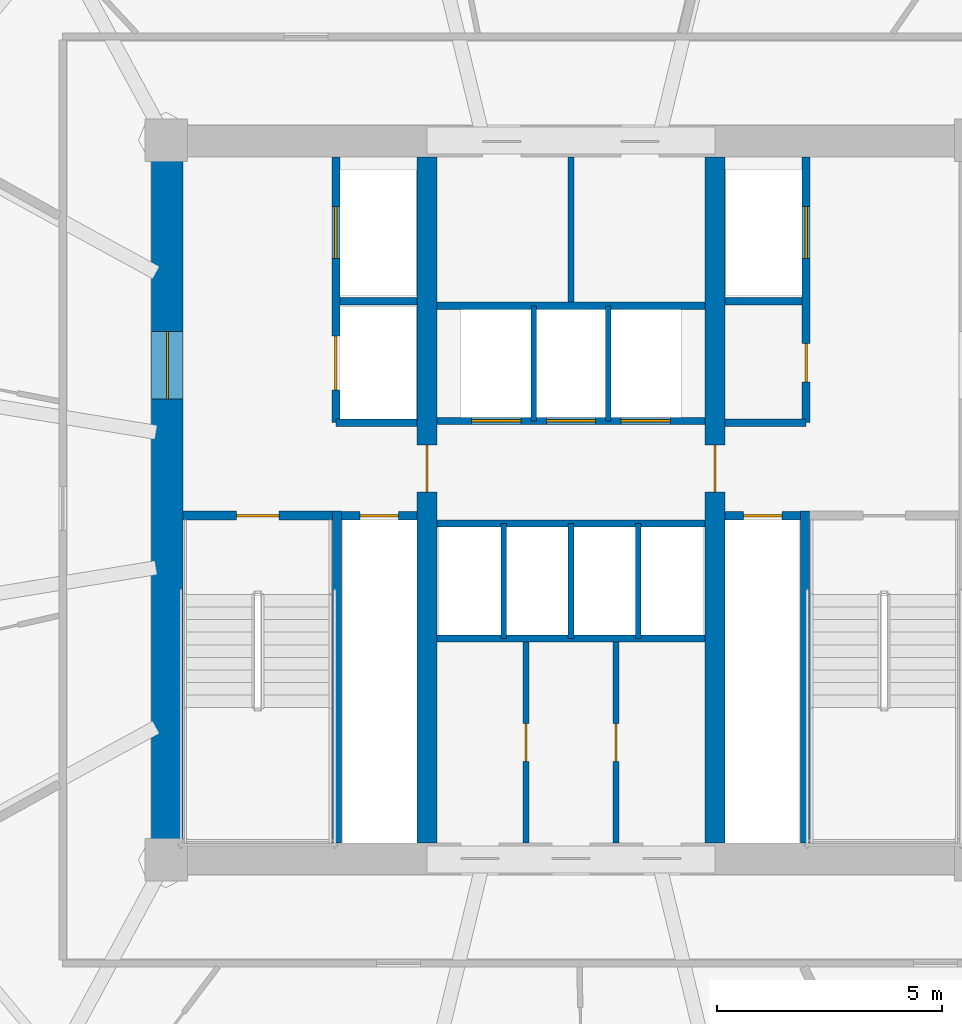
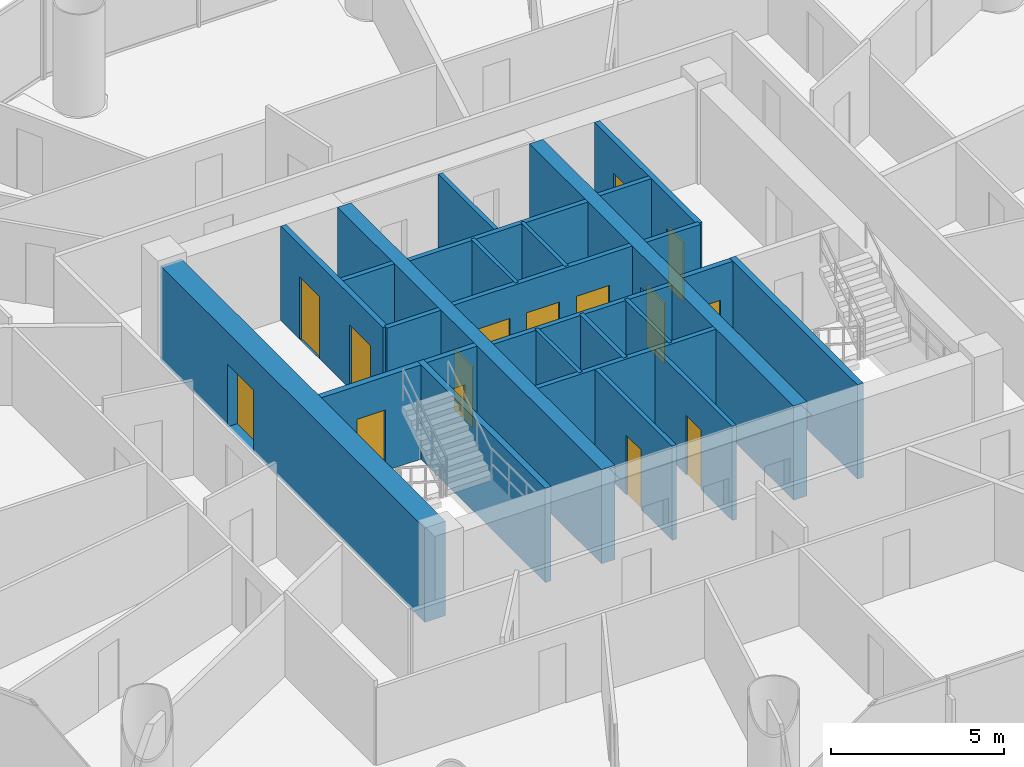
# One storey, part 22 of 28: 26 walls, 15 doors, 15 openings.
"""IFC4 building model written with IfcOpenShell, lengths in metres."""

from ifc_helpers import new_model, si_unit, direction, frame, frame_2d, origin, place, context, subcontext, project, spatial, rectangle, extrude, source, transform, mapped, material, layer, layer_set, type_object, element, fill, save


model = new_model("IFC4")

# Units and contexts
model_context = context("Model", 3, precision=1e-05, world=origin(), true_north=direction((-0.2419218956, 0.970295726276)))
body_context = subcontext(model_context, "Body", "Model", "MODEL_VIEW")
ifc_project = project(units=[si_unit("LENGTHUNIT", "METRE"), si_unit("AREAUNIT", "SQUARE_METRE"), si_unit("VOLUMEUNIT", "CUBIC_METRE"), si_unit("PLANEANGLEUNIT", "RADIAN"), si_unit("MASSUNIT", "GRAM", prefix="KILO")], contexts=[model_context])

# Site, building, storey
site_placement = place(None, origin())
site = spatial("IfcSite", under=ifc_project, at=site_placement, CompositionType="ELEMENT")
building_placement = place(site_placement, origin())
building = spatial("IfcBuilding", under=site, at=building_placement, Name="Cobrevalo Terracotta Tower", CompositionType="ELEMENT")
storey_placement = place(building_placement, frame((0.0, 0.0, 105.0)))
storey = spatial("IfcBuildingStorey", under=building, at=storey_placement, Name="L27", CompositionType="ELEMENT", Elevation=105.0)

# Wall, opening, door
ifc_material_1 = material(Name="Concrete C60", Category="concrete")
ifc_layer_1 = layer(ifc_material_1, 0.699951171875)
ifc_layer_set_1 = layer_set([ifc_layer_1], Name="Concrete C60")
wall_type_1 = type_object("IfcWallType", Name="Core shear wall 700 mm Concrete C60", PredefinedType="SHEAR", material=ifc_layer_set_1)
wall_1_placement = place(storey_placement, frame((29.02490234375, 19.175048828125, 0.0), z_axis=(0.0, 0.0, 1.0), x_axis=(0.0, 1.0, 0.0)))
wall_1 = element("IfcWall", 1, at=wall_1_placement, inside=storey, type_object=wall_type_1, Name="L27 west core shear wall", PredefinedType="SHEAR", context=body_context, shape_type="SweptSolid", body=[
    extrude(rectangle(XDim=15.25, YDim=0.699951171875, at=frame_2d((7.625, 0.0))), origin(), (0.0, 0.0, 1.0), 3.324951171875),
])
opening_1_placement = place(wall_1_placement, frame((9.875, 0.0, 0.0)))
opening_1 = element("IfcOpeningElement", 2, at=opening_1_placement, cuts=wall_1, Name="Opening ID-14", PredefinedType="OPENING", context=body_context, shape_type="SweptSolid", body=[
    extrude(rectangle(XDim=1.5, YDim=2.199951171875, at=frame_2d((0.75, 1.10009765625))), frame((0.0, 0.35986328125, 0.0), z_axis=(0.0, -1.0, 0.0), x_axis=(1.0, 0.0, 0.0)), (0.0, 0.0, 1.0), 0.719970703125),
])
ifc_material_2 = material(Name="Galvanized fire-rated steel", Category="steel")
door_type_1 = type_object("IfcDoorType", Name="Core cross-lobby double fire door 1500x2200 EI 90", OperationType="NOTDEFINED", PredefinedType="DOOR", material=ifc_material_2)
shared_shape_1 = source(origin(), body_context, "Body", "SweptSolid", [
    extrude(rectangle(XDim=1.5, YDim=2.199951171875, at=frame_2d((0.75, 1.10009765625))), frame((0.0, 0.02490234375, 0.0), z_axis=(0.0, -1.0, 0.0), x_axis=(1.0, 0.0, 0.0)), (0.0, 0.0, 1.0), 0.050048828125),
])
door_1_placement = place(opening_1_placement, origin())
door_1 = element("IfcDoor", 3, at=door_1_placement, inside=storey, type_object=door_type_1, Name="L27 west firefighting lobby entrance door", OperationType="DOUBLE_DOOR_SINGLE_SWING", OverallHeight=2.199951171875, OverallWidth=1.5, PredefinedType="DOOR", context=body_context, shape_type="MappedRepresentation", body=[
    mapped(shared_shape_1, transform((0.0, 0.0, 0.0), scale=1.0)),
])
fill(opening_1, door_1)

# Walls
ifc_material_3 = material(Name="Gypsum board on steel stud", Category="steel")
ifc_layer_2 = layer(ifc_material_3, 0.159912109375)
ifc_layer_set_2 = layer_set([ifc_layer_2], Name="Gypsum board on steel stud")
wall_type_2 = type_object("IfcWallType", Name="Fire-rated corridor acoustic partition wall 160 mm", PredefinedType="PARTITIONING", material=ifc_layer_set_2)
wall_2_placement = place(storey_placement, frame((32.860107421875, 31.219970703125, 0.0), z_axis=(0.0, 0.0, 1.0), x_axis=(1.0, 0.0, 0.0)))
element("IfcWall", 4, at=wall_2_placement, inside=storey, type_object=wall_type_2, Name="L27 interior partition IW-L27-FF1-M", PredefinedType="PARTITIONING", context=body_context, shape_type="SweptSolid", body=[
    extrude(rectangle(XDim=1.71484375, YDim=0.159912109375, at=frame_2d((0.857421875, 0.0))), origin(), (0.0, 0.0, 1.0), 3.324951171875),
])
wall_3_placement = place(storey_placement, frame((32.77001953125, 28.52001953125, 0.0), z_axis=(0.0, 0.0, 1.0), x_axis=(1.0, 0.0, 0.0)))
element("IfcWall", 5, at=wall_3_placement, inside=storey, type_object=wall_type_2, Name="L27 interior partition IW-L27-FF1-S", PredefinedType="PARTITIONING", context=body_context, shape_type="SweptSolid", body=[
    extrude(rectangle(XDim=1.804931640625, YDim=0.159912109375, at=frame_2d((0.90234375, 0.0))), origin(), (0.0, 0.0, 1.0), 3.324951171875),
])
wall_4_placement = place(storey_placement, frame((41.425048828125, 31.219970703125, 0.0), z_axis=(0.0, 0.0, 1.0), x_axis=(1.0, 0.0, 0.0)))
element("IfcWall", 6, at=wall_4_placement, inside=storey, type_object=wall_type_2, Name="L27 interior partition IW-L27-FF2-M", PredefinedType="PARTITIONING", context=body_context, shape_type="SweptSolid", body=[
    extrude(rectangle(XDim=1.71484375, YDim=0.159912109375, at=frame_2d((0.857421875, 0.0))), origin(), (0.0, 0.0, 1.0), 3.324951171875),
])
wall_5_placement = place(storey_placement, frame((41.425048828125, 28.52001953125, 0.0), z_axis=(0.0, 0.0, 1.0), x_axis=(1.0, 0.0, 0.0)))
element("IfcWall", 7, at=wall_5_placement, inside=storey, type_object=wall_type_2, Name="L27 interior partition IW-L27-FF2-S", PredefinedType="PARTITIONING", context=body_context, shape_type="SweptSolid", body=[
    extrude(rectangle(XDim=1.804931640625, YDim=0.159912109375, at=frame_2d((0.90234375, 0.0))), origin(), (0.0, 0.0, 1.0), 3.324951171875),
])

# Wall, openings, doors
wall_6_placement = place(storey_placement, frame((35.02490234375, 28.56005859375, 0.0), z_axis=(0.0, 0.0, 1.0), x_axis=(1.0, 0.0, 0.0)))
wall_6 = element("IfcWall", 8, at=wall_6_placement, inside=storey, type_object=wall_type_2, Name="L27 interior partition IW-L27-LB-S", PredefinedType="PARTITIONING", context=body_context, shape_type="SweptSolid", body=[
    extrude(rectangle(XDim=5.9501953125, YDim=0.159912109375, at=frame_2d((2.97509765625, 0.0))), origin(), (0.0, 0.0, 1.0), 3.324951171875),
])
opening_2_placement = place(wall_6_placement, frame((0.760009765625, 0.0, 0.0)))
opening_2 = element("IfcOpeningElement", 9, at=opening_2_placement, cuts=wall_6, Name="Opening LD-01", PredefinedType="OPENING", context=body_context, shape_type="SweptSolid", body=[
    extrude(rectangle(XDim=1.10009765625, YDim=2.199951171875, at=frame_2d((0.550048828125, 1.10009765625))), frame((0.0, 0.08984375, 0.0), z_axis=(0.0, -1.0, 0.0), x_axis=(1.0, 0.0, 0.0)), (0.0, 0.0, 1.0), 0.179931640625),
])
opening_3_placement = place(wall_6_placement, frame((2.425048828125, 0.0, 0.0)))
opening_3 = element("IfcOpeningElement", 10, at=opening_3_placement, cuts=wall_6, Name="Opening LD-01", PredefinedType="OPENING", context=body_context, shape_type="SweptSolid", body=[
    extrude(rectangle(XDim=1.10009765625, YDim=2.199951171875, at=frame_2d((0.550048828125, 1.10009765625))), frame((0.0, 0.08984375, 0.0), z_axis=(0.0, -1.0, 0.0), x_axis=(1.0, 0.0, 0.0)), (0.0, 0.0, 1.0), 0.179931640625),
])
opening_4_placement = place(wall_6_placement, frame((4.090087890625, 0.0, 0.0)))
opening_4 = element("IfcOpeningElement", 11, at=opening_4_placement, cuts=wall_6, Name="Opening LD-01", PredefinedType="OPENING", context=body_context, shape_type="SweptSolid", body=[
    extrude(rectangle(XDim=1.10009765625, YDim=2.199951171875, at=frame_2d((0.550048828125, 1.10009765625))), frame((0.0, 0.08984375, 0.0), z_axis=(0.0, -1.0, 0.0), x_axis=(1.0, 0.0, 0.0)), (0.0, 0.0, 1.0), 0.179931640625),
])
ifc_material_4 = material(Name="Brushed stainless steel", Category="steel")
door_type_2 = type_object("IfcDoorType", Name="Passenger lift landing bi-parting sliding door 1100x2200 EI 90", OperationType="DOUBLE_DOOR_SLIDING", PredefinedType="DOOR", material=ifc_material_4)
shared_shape_2 = source(origin(), body_context, "Body", "SweptSolid", [
    extrude(rectangle(XDim=1.10009765625, YDim=2.199951171875, at=frame_2d((0.550048828125, 1.10009765625))), frame((0.0, 0.02490234375, 0.0), z_axis=(0.0, -1.0, 0.0), x_axis=(1.0, 0.0, 0.0)), (0.0, 0.0, 1.0), 0.050048828125),
])
door_2_placement = place(opening_2_placement, origin())
door_2 = element("IfcDoor", 12, at=door_2_placement, inside=storey, type_object=door_type_2, Name="L27 lift landing door PL-L1", OperationType="DOUBLE_DOOR_SLIDING", OverallHeight=2.199951171875, OverallWidth=1.10009765625, PredefinedType="DOOR", context=body_context, shape_type="MappedRepresentation", body=[
    mapped(shared_shape_2, transform((0.0, 0.0, 0.0), scale=1.0)),
])
fill(opening_2, door_2)
door_3_placement = place(opening_3_placement, origin())
door_3 = element("IfcDoor", 13, at=door_3_placement, inside=storey, type_object=door_type_2, Name="L27 lift landing door PL-L2", OperationType="DOUBLE_DOOR_SLIDING", OverallHeight=2.199951171875, OverallWidth=1.10009765625, PredefinedType="DOOR", context=body_context, shape_type="MappedRepresentation", body=[
    mapped(shared_shape_2, transform((0.0, 0.0, 0.0), scale=1.0)),
])
fill(opening_3, door_3)
door_4_placement = place(opening_4_placement, origin())
door_4 = element("IfcDoor", 14, at=door_4_placement, inside=storey, type_object=door_type_2, Name="L27 lift landing door PL-L3", OperationType="DOUBLE_DOOR_SLIDING", OverallHeight=2.199951171875, OverallWidth=1.10009765625, PredefinedType="DOOR", context=body_context, shape_type="MappedRepresentation", body=[
    mapped(shared_shape_2, transform((0.0, 0.0, 0.0), scale=1.0)),
])
fill(opening_4, door_4)

# Walls
for number, where, z_axis, x_axis, name in (
    (15, (35.02490234375, 31.1201171875, 0.0), (0.0, 0.0, 1.0), (1.0, 0.0, 0.0), "L27 interior partition IW-L27-LB-N"),
    (16, (35.02490234375, 26.280029296875, 0.0), (0.0, 0.0, 1.0), (1.0, 0.0, 0.0), "L27 interior partition IW-L27-MB-N"),
    (17, (35.02490234375, 23.719970703125, 0.0), (0.0, 0.0, 1.0), (1.0, 0.0, 0.0), "L27 interior partition IW-L27-MB-S"),
):
    element("IfcWall", number, at=place(storey_placement, frame(where, z_axis=z_axis, x_axis=x_axis)), inside=storey, type_object=wall_type_2, Name=name, PredefinedType="PARTITIONING", context=body_context, shape_type="SweptSolid", body=[
        extrude(rectangle(XDim=5.9501953125, YDim=0.159912109375, at=frame_2d((2.97509765625, 0.0))), origin(), (0.0, 0.0, 1.0), 3.324951171875),
    ])

# Wall, opening, door
ifc_layer_3 = layer(ifc_material_3, 0.179931640625)
ifc_layer_set_3 = layer_set([ifc_layer_3], Name="Gypsum board on steel stud")
wall_type_3 = type_object("IfcWallType", Name="Fire-rated shaft & lobby acoustic partition wall 180 mm", PredefinedType="PARTITIONING", material=ifc_layer_set_3)
wall_7_placement = place(storey_placement, frame((32.89990234375, 26.449951171875, 0.0), z_axis=(0.0, 0.0, 1.0), x_axis=(1.0, 0.0, 0.0)))
wall_7 = element("IfcWall", 18, at=wall_7_placement, inside=storey, type_object=wall_type_3, Name="L27 interior partition IW-L27-RSW-N", PredefinedType="PARTITIONING", context=body_context, shape_type="SweptSolid", body=[
    extrude(rectangle(XDim=1.675048828125, YDim=0.179931640625, at=frame_2d((0.83740234375, 0.0))), origin(), (0.0, 0.0, 1.0), 3.324951171875),
])
opening_5_placement = place(wall_7_placement, frame((0.41259765625, 0.0, 0.0)))
opening_5 = element("IfcOpeningElement", 19, at=opening_5_placement, cuts=wall_7, Name="Opening ID-22", PredefinedType="OPENING", context=body_context, shape_type="SweptSolid", body=[
    extrude(rectangle(XDim=0.85009765625, YDim=2.10009765625, at=frame_2d((0.425048828125, 1.050048828125))), frame((0.0, 0.10009765625, 0.0), z_axis=(0.0, -1.0, 0.0), x_axis=(1.0, 0.0, 0.0)), (0.0, 0.0, 1.0), 0.199951171875),
])
ifc_material_5 = material(Name="Powder-coated steel", Category="steel")
door_type_3 = type_object("IfcDoorType", Name="Riser shaft & meter closet fire access door 850x2100 EI 60", OperationType="NOTDEFINED", PredefinedType="DOOR", material=ifc_material_5)
shared_shape_3 = source(origin(), body_context, "Body", "SweptSolid", [
    extrude(rectangle(XDim=0.85009765625, YDim=2.10009765625, at=frame_2d((0.425048828125, 1.050048828125))), frame((0.0, 0.02490234375, 0.0), z_axis=(0.0, -1.0, 0.0), x_axis=(1.0, 0.0, 0.0)), (0.0, 0.0, 1.0), 0.050048828125),
])
door_5_placement = place(opening_5_placement, origin())
door_5 = element("IfcDoor", 20, at=door_5_placement, inside=storey, type_object=door_type_3, Name="L27 riser access door RSW", OperationType="SINGLE_SWING_LEFT", OverallHeight=2.10009765625, OverallWidth=0.85009765625, PredefinedType="DOOR", context=body_context, shape_type="MappedRepresentation", body=[
    mapped(shared_shape_3, transform((0.0, 0.0, 0.0), scale=1.0)),
])
fill(opening_5, door_5)

wall_8_placement = place(storey_placement, frame((41.425048828125, 26.449951171875, 0.0), z_axis=(0.0, 0.0, 1.0), x_axis=(1.0, 0.0, 0.0)))
wall_8 = element("IfcWall", 21, at=wall_8_placement, inside=storey, type_object=wall_type_3, Name="L27 interior partition IW-L27-RSE-N", PredefinedType="PARTITIONING", context=body_context, shape_type="SweptSolid", body=[
    extrude(rectangle(XDim=1.675048828125, YDim=0.179931640625, at=frame_2d((0.83740234375, 0.0))), origin(), (0.0, 0.0, 1.0), 3.324951171875),
])
opening_6_placement = place(wall_8_placement, frame((0.41259765625, 0.0, 0.0)))
opening_6 = element("IfcOpeningElement", 22, at=opening_6_placement, cuts=wall_8, Name="Opening ID-22", PredefinedType="OPENING", context=body_context, shape_type="SweptSolid", body=[
    extrude(rectangle(XDim=0.85009765625, YDim=2.10009765625, at=frame_2d((0.425048828125, 1.050048828125))), frame((0.0, 0.10009765625, 0.0), z_axis=(0.0, -1.0, 0.0), x_axis=(1.0, 0.0, 0.0)), (0.0, 0.0, 1.0), 0.199951171875),
])
door_6_placement = place(opening_6_placement, origin())
door_6 = element("IfcDoor", 23, at=door_6_placement, inside=storey, type_object=door_type_3, Name="L27 riser access door RSE", OperationType="SINGLE_SWING_RIGHT", OverallHeight=2.10009765625, OverallWidth=0.85009765625, PredefinedType="DOOR", context=body_context, shape_type="MappedRepresentation", body=[
    mapped(shared_shape_3, transform((0.0, 0.0, 0.0), scale=1.0)),
])
fill(opening_6, door_6)

# Wall, openings, doors
wall_9_placement = place(storey_placement, frame((32.77001953125, 28.52001953125, 0.0), z_axis=(0.0, 0.0, 1.0), x_axis=(0.0, 1.0, 0.0)))
wall_9 = element("IfcWall", 24, at=wall_9_placement, inside=storey, type_object=wall_type_3, Name="L27 interior partition IW-L27-FF1-W", PredefinedType="PARTITIONING", context=body_context, shape_type="SweptSolid", body=[
    extrude(rectangle(XDim=5.905029296875, YDim=0.179931640625, at=frame_2d((2.95263671875, 0.0))), origin(), (0.0, 0.0, 1.0), 3.324951171875),
])
opening_7_placement = place(wall_9_placement, frame((3.655029296875, 0.0, 0.0)))
opening_7 = element("IfcOpeningElement", 25, at=opening_7_placement, cuts=wall_9, Name="Opening LD-02", PredefinedType="OPENING", context=body_context, shape_type="SweptSolid", body=[
    extrude(rectangle(XDim=1.14990234375, YDim=2.199951171875, at=frame_2d((0.574951171875, 1.10009765625))), frame((0.0, 0.10009765625, 0.0), z_axis=(0.0, -1.0, 0.0), x_axis=(1.0, 0.0, 0.0)), (0.0, 0.0, 1.0), 0.199951171875),
])
opening_8_placement = place(wall_9_placement, frame((0.72998046875, 0.0, 0.0)))
opening_8 = element("IfcOpeningElement", 26, at=opening_8_placement, cuts=wall_9, Name="Opening LD-03", PredefinedType="OPENING", context=body_context, shape_type="SweptSolid", body=[
    extrude(rectangle(XDim=1.199951171875, YDim=2.25, at=frame_2d((0.60009765625, 1.125))), frame((0.0, 0.10009765625, 0.0), z_axis=(0.0, -1.0, 0.0), x_axis=(1.0, 0.0, 0.0)), (0.0, 0.0, 1.0), 0.199951171875),
])
door_type_4 = type_object("IfcDoorType", Name="Firefighting lift landing bi-parting sliding door 1150x2200 EI 120", OperationType="DOUBLE_DOOR_SLIDING", PredefinedType="DOOR", material=ifc_material_4)
shared_shape_4 = source(origin(), body_context, "Body", "SweptSolid", [
    extrude(rectangle(XDim=1.14990234375, YDim=2.199951171875, at=frame_2d((0.574951171875, 1.10009765625))), frame((0.0, 0.02490234375, 0.0), z_axis=(0.0, -1.0, 0.0), x_axis=(1.0, 0.0, 0.0)), (0.0, 0.0, 1.0), 0.050048828125),
])
door_7_placement = place(opening_7_placement, origin())
door_7 = element("IfcDoor", 27, at=door_7_placement, inside=storey, type_object=door_type_4, Name="L27 lift landing door FF-1", OperationType="DOUBLE_DOOR_SLIDING", OverallHeight=2.199951171875, OverallWidth=1.14990234375, PredefinedType="DOOR", context=body_context, shape_type="MappedRepresentation", body=[
    mapped(shared_shape_4, transform((0.0, 0.0, 0.0), scale=1.0)),
])
fill(opening_7, door_7)
door_type_5 = type_object("IfcDoorType", Name="Service lift landing bi-parting sliding door 1200x2250 EI 120", OperationType="DOUBLE_DOOR_SLIDING", PredefinedType="DOOR", material=ifc_material_4)
shared_shape_5 = source(origin(), body_context, "Body", "SweptSolid", [
    extrude(rectangle(XDim=1.199951171875, YDim=2.25, at=frame_2d((0.60009765625, 1.125))), frame((0.0, 0.02490234375, 0.0), z_axis=(0.0, -1.0, 0.0), x_axis=(1.0, 0.0, 0.0)), (0.0, 0.0, 1.0), 0.050048828125),
])
door_8_placement = place(opening_8_placement, origin())
door_8 = element("IfcDoor", 28, at=door_8_placement, inside=storey, type_object=door_type_5, Name="L27 lift landing door SV-1", OperationType="DOUBLE_DOOR_SLIDING", OverallHeight=2.25, OverallWidth=1.199951171875, PredefinedType="DOOR", context=body_context, shape_type="MappedRepresentation", body=[
    mapped(shared_shape_5, transform((0.0, 0.0, 0.0), scale=1.0)),
])
fill(opening_8, door_8)

wall_10_placement = place(storey_placement, frame((43.22998046875, 28.52001953125, 0.0), z_axis=(0.0, 0.0, 1.0), x_axis=(0.0, 1.0, 0.0)))
wall_10 = element("IfcWall", 29, at=wall_10_placement, inside=storey, type_object=wall_type_3, Name="L27 interior partition IW-L27-FF2-E", PredefinedType="PARTITIONING", context=body_context, shape_type="SweptSolid", body=[
    extrude(rectangle(XDim=5.905029296875, YDim=0.179931640625, at=frame_2d((2.95263671875, 0.0))), origin(), (0.0, 0.0, 1.0), 3.324951171875),
])
opening_9_placement = place(wall_10_placement, frame((0.905029296875, 0.0, 0.0)))
opening_9 = element("IfcOpeningElement", 30, at=opening_9_placement, cuts=wall_10, Name="Opening ID-22", PredefinedType="OPENING", context=body_context, shape_type="SweptSolid", body=[
    extrude(rectangle(XDim=0.85009765625, YDim=2.10009765625, at=frame_2d((0.425048828125, 1.050048828125))), frame((0.0, 0.10009765625, 0.0), z_axis=(0.0, -1.0, 0.0), x_axis=(1.0, 0.0, 0.0)), (0.0, 0.0, 1.0), 0.199951171875),
])
opening_10_placement = place(wall_10_placement, frame((3.655029296875, 0.0, 0.0)))
opening_10 = element("IfcOpeningElement", 31, at=opening_10_placement, cuts=wall_10, Name="Opening LD-02", PredefinedType="OPENING", context=body_context, shape_type="SweptSolid", body=[
    extrude(rectangle(XDim=1.14990234375, YDim=2.199951171875, at=frame_2d((0.574951171875, 1.10009765625))), frame((0.0, 0.10009765625, 0.0), z_axis=(0.0, -1.0, 0.0), x_axis=(1.0, 0.0, 0.0)), (0.0, 0.0, 1.0), 0.199951171875),
])
door_9_placement = place(opening_9_placement, frame((0.85009765625, 0.0, 0.0), z_axis=(0.0, 0.0, 1.0), x_axis=(-1.0, 0.0, 0.0)))
door_9 = element("IfcDoor", 32, at=door_9_placement, inside=storey, type_object=door_type_3, Name="L27 housekeeping store door", OperationType="SINGLE_SWING_RIGHT", OverallHeight=2.10009765625, OverallWidth=0.85009765625, PredefinedType="DOOR", context=body_context, shape_type="MappedRepresentation", body=[
    mapped(shared_shape_3, transform((0.0, 0.0, 0.0), scale=1.0)),
])
fill(opening_9, door_9)
door_10_placement = place(opening_10_placement, origin())
door_10 = element("IfcDoor", 33, at=door_10_placement, inside=storey, type_object=door_type_4, Name="L27 lift landing door FF-2", OperationType="DOUBLE_DOOR_SLIDING", OverallHeight=2.199951171875, OverallWidth=1.14990234375, PredefinedType="DOOR", context=body_context, shape_type="MappedRepresentation", body=[
    mapped(shared_shape_4, transform((0.0, 0.0, 0.0), scale=1.0)),
])
fill(opening_10, door_10)

# Walls
ifc_material_6 = material(Name="Autoclaved aerated concrete block", Category="concrete")
ifc_layer_4 = layer(ifc_material_6, 0.1201171875)
ifc_layer_set_4 = layer_set([ifc_layer_4], Name="Autoclaved aerated concrete block")
wall_type_4 = type_object("IfcWallType", Name="Fire-rated wet-room & core service partition 120 mm", PredefinedType="PARTITIONING", material=ifc_layer_set_4)
for number, where, z_axis, x_axis, name in (
    (34, (37.169921875, 28.56005859375, 0.0), (0.0, 0.0, 1.0), (0.0, 1.0, 0.0), "L27 interior partition IW-L27-LB-D1"),
    (35, (38.830078125, 28.56005859375, 0.0), (0.0, 0.0, 1.0), (0.0, 1.0, 0.0), "L27 interior partition IW-L27-LB-D2"),
    (36, (36.5, 23.719970703125, 0.0), (0.0, 0.0, 1.0), (0.0, 1.0, 0.0), "L27 interior partition IW-L27-MB-D1"),
    (37, (39.5, 23.719970703125, 0.0), (0.0, 0.0, 1.0), (0.0, 1.0, 0.0), "L27 interior partition IW-L27-MB-D3"),
):
    element("IfcWall", number, at=place(storey_placement, frame(where, z_axis=z_axis, x_axis=x_axis)), inside=storey, type_object=wall_type_4, Name=name, PredefinedType="PARTITIONING", context=body_context, shape_type="SweptSolid", body=[
        extrude(rectangle(XDim=2.56005859375, YDim=0.1201171875, at=frame_2d((1.280029296875, 0.0))), origin(), (0.0, 0.0, 1.0), 3.324951171875),
    ])

# Wall, opening, door
ifc_material_7 = material(Name="Concrete C55", Category="concrete")
ifc_layer_5 = layer(ifc_material_7, 0.449951171875)
ifc_layer_set_5 = layer_set([ifc_layer_5], Name="Concrete C55")
wall_type_5 = type_object("IfcWallType", Name="Internal core shear web wall 450 mm Concrete C55", PredefinedType="SHEAR", material=ifc_layer_set_5)
wall_11_placement = place(storey_placement, frame((34.800048828125, 19.175048828125, 0.0), z_axis=(0.0, 0.0, 1.0), x_axis=(0.0, 1.0, 0.0)))
wall_11 = element("IfcWall", 38, at=wall_11_placement, inside=storey, type_object=wall_type_5, Name="L27 internal core shear wall WEB-W", PredefinedType="SHEAR", context=body_context, shape_type="SweptSolid", body=[
    extrude(rectangle(XDim=15.25, YDim=0.449951171875, at=frame_2d((7.625, 0.0))), origin(), (0.0, 0.0, 1.0), 3.324951171875),
])
opening_11_placement = place(wall_11_placement, frame((7.800048828125, 0.0, 0.0)))
opening_11 = element("IfcOpeningElement", 39, at=opening_11_placement, cuts=wall_11, Name="Opening ID-11", PredefinedType="OPENING", context=body_context, shape_type="SweptSolid", body=[
    extrude(rectangle(XDim=1.050048828125, YDim=2.14990234375, at=frame_2d((0.52490234375, 1.074951171875))), frame((0.0, 0.23486328125, 0.0), z_axis=(0.0, -1.0, 0.0), x_axis=(1.0, 0.0, 0.0)), (0.0, 0.0, 1.0), 0.469970703125),
])
door_type_6 = type_object("IfcDoorType", Name="Core concourse cross fire door 1050x2150 EI 90", OperationType="NOTDEFINED", PredefinedType="DOOR", material=ifc_material_2)
shared_shape_6 = source(origin(), body_context, "Body", "SweptSolid", [
    extrude(rectangle(XDim=1.050048828125, YDim=2.14990234375, at=frame_2d((0.52490234375, 1.074951171875))), frame((0.0, 0.02490234375, 0.0), z_axis=(0.0, -1.0, 0.0), x_axis=(1.0, 0.0, 0.0)), (0.0, 0.0, 1.0), 0.050048828125),
])
door_11_placement = place(opening_11_placement, origin())
door_11 = element("IfcDoor", 40, at=door_11_placement, inside=storey, type_object=door_type_6, Name="L27 west core concourse cross door", OperationType="SINGLE_SWING_LEFT", OverallHeight=2.14990234375, OverallWidth=1.050048828125, PredefinedType="DOOR", context=body_context, shape_type="MappedRepresentation", body=[
    mapped(shared_shape_6, transform((0.0, 0.0, 0.0), scale=1.0)),
])
fill(opening_11, door_11)

wall_12_placement = place(storey_placement, frame((41.199951171875, 19.175048828125, 0.0), z_axis=(0.0, 0.0, 1.0), x_axis=(0.0, 1.0, 0.0)))
wall_12 = element("IfcWall", 41, at=wall_12_placement, inside=storey, type_object=wall_type_5, Name="L27 internal core shear wall WEB-E", PredefinedType="SHEAR", context=body_context, shape_type="SweptSolid", body=[
    extrude(rectangle(XDim=15.25, YDim=0.449951171875, at=frame_2d((7.625, 0.0))), origin(), (0.0, 0.0, 1.0), 3.324951171875),
])
opening_12_placement = place(wall_12_placement, frame((7.800048828125, 0.0, 0.0)))
opening_12 = element("IfcOpeningElement", 42, at=opening_12_placement, cuts=wall_12, Name="Opening ID-11", PredefinedType="OPENING", context=body_context, shape_type="SweptSolid", body=[
    extrude(rectangle(XDim=1.050048828125, YDim=2.14990234375, at=frame_2d((0.52490234375, 1.074951171875))), frame((0.0, 0.23486328125, 0.0), z_axis=(0.0, -1.0, 0.0), x_axis=(1.0, 0.0, 0.0)), (0.0, 0.0, 1.0), 0.469970703125),
])
door_12_placement = place(opening_12_placement, frame((1.050048828125, 0.0, 0.0), z_axis=(0.0, 0.0, 1.0), x_axis=(-1.0, 0.0, 0.0)))
door_12 = element("IfcDoor", 43, at=door_12_placement, inside=storey, type_object=door_type_6, Name="L27 east core concourse cross door", OperationType="SINGLE_SWING_RIGHT", OverallHeight=2.14990234375, OverallWidth=1.050048828125, PredefinedType="DOOR", context=body_context, shape_type="MappedRepresentation", body=[
    mapped(shared_shape_6, transform((0.0, 0.0, 0.0), scale=1.0)),
])
fill(opening_12, door_12)

# Walls
ifc_layer_6 = layer(ifc_material_6, 0.139892578125)
ifc_layer_set_6 = layer_set([ifc_layer_6], Name="Autoclaved aerated concrete block")
wall_type_6 = type_object("IfcWallType", Name="Moisture-resistant wet-room & core service partition 140 mm", PredefinedType="PARTITIONING", material=ifc_layer_set_6)
wall_13_placement = place(storey_placement, frame((38.0, 31.199951171875, 0.0), z_axis=(0.0, 0.0, 1.0), x_axis=(0.0, 1.0, 0.0)))
element("IfcWall", 44, at=wall_13_placement, inside=storey, type_object=wall_type_6, Name="L27 interior partition IW-L27-KVN-1", PredefinedType="PARTITIONING", context=body_context, shape_type="SweptSolid", body=[
    extrude(rectangle(XDim=3.22509765625, YDim=0.139892578125, at=frame_2d((1.612548828125, 0.0))), origin(), (0.0, 0.0, 1.0), 3.324951171875),
])
wall_14_placement = place(storey_placement, frame((38.0, 23.719970703125, 0.0), z_axis=(0.0, 0.0, 1.0), x_axis=(0.0, 1.0, 0.0)))
element("IfcWall", 45, at=wall_14_placement, inside=storey, type_object=wall_type_6, Name="L27 interior partition IW-L27-MB-D2", PredefinedType="PARTITIONING", context=body_context, shape_type="SweptSolid", body=[
    extrude(rectangle(XDim=2.56005859375, YDim=0.139892578125, at=frame_2d((1.280029296875, 0.0))), origin(), (0.0, 0.0, 1.0), 3.324951171875),
])

# Wall, opening, door
wall_15_placement = place(storey_placement, frame((37.0, 19.175048828125, 0.0), z_axis=(0.0, 0.0, 1.0), x_axis=(0.0, 1.0, 0.0)))
wall_15 = element("IfcWall", 46, at=wall_15_placement, inside=storey, type_object=wall_type_6, Name="L27 interior partition IW-L27-KVS-V1", PredefinedType="PARTITIONING", context=body_context, shape_type="SweptSolid", body=[
    extrude(rectangle(XDim=4.46484375, YDim=0.139892578125, at=frame_2d((2.232421875, 0.0))), origin(), (0.0, 0.0, 1.0), 3.324951171875),
])
opening_13_placement = place(wall_15_placement, frame((1.8076171875, 0.0, 0.0)))
opening_13 = element("IfcOpeningElement", 47, at=opening_13_placement, cuts=wall_15, Name="Opening ID-22", PredefinedType="OPENING", context=body_context, shape_type="SweptSolid", body=[
    extrude(rectangle(XDim=0.85009765625, YDim=2.10009765625, at=frame_2d((0.425048828125, 1.050048828125))), frame((0.0, 0.080078125, 0.0), z_axis=(0.0, -1.0, 0.0), x_axis=(1.0, 0.0, 0.0)), (0.0, 0.0, 1.0), 0.159912109375),
])
door_13_placement = place(opening_13_placement, origin())
door_13 = element("IfcDoor", 48, at=door_13_placement, inside=storey, type_object=door_type_3, Name="L27 core KVS-V1 inner door", OperationType="SINGLE_SWING_LEFT", OverallHeight=2.10009765625, OverallWidth=0.85009765625, PredefinedType="DOOR", context=body_context, shape_type="MappedRepresentation", body=[
    mapped(shared_shape_3, transform((0.0, 0.0, 0.0), scale=1.0)),
])
fill(opening_13, door_13)

wall_16_placement = place(storey_placement, frame((39.0, 19.175048828125, 0.0), z_axis=(0.0, 0.0, 1.0), x_axis=(0.0, 1.0, 0.0)))
wall_16 = element("IfcWall", 49, at=wall_16_placement, inside=storey, type_object=wall_type_6, Name="L27 interior partition IW-L27-KVS-V2", PredefinedType="PARTITIONING", context=body_context, shape_type="SweptSolid", body=[
    extrude(rectangle(XDim=4.46484375, YDim=0.139892578125, at=frame_2d((2.232421875, 0.0))), origin(), (0.0, 0.0, 1.0), 3.324951171875),
])
opening_14_placement = place(wall_16_placement, frame((1.8076171875, 0.0, 0.0)))
opening_14 = element("IfcOpeningElement", 50, at=opening_14_placement, cuts=wall_16, Name="Opening ID-22", PredefinedType="OPENING", context=body_context, shape_type="SweptSolid", body=[
    extrude(rectangle(XDim=0.85009765625, YDim=2.10009765625, at=frame_2d((0.425048828125, 1.050048828125))), frame((0.0, 0.080078125, 0.0), z_axis=(0.0, -1.0, 0.0), x_axis=(1.0, 0.0, 0.0)), (0.0, 0.0, 1.0), 0.159912109375),
])
door_14_placement = place(opening_14_placement, origin())
door_14 = element("IfcDoor", 51, at=door_14_placement, inside=storey, type_object=door_type_3, Name="L27 core KVS-V2 inner door", OperationType="SINGLE_SWING_LEFT", OverallHeight=2.10009765625, OverallWidth=0.85009765625, PredefinedType="DOOR", context=body_context, shape_type="MappedRepresentation", body=[
    mapped(shared_shape_3, transform((0.0, 0.0, 0.0), scale=1.0)),
])
fill(opening_14, door_14)

# Wall
ifc_material_8 = material(Name="Concrete C50", Category="concrete")
ifc_layer_7 = layer(ifc_material_8, 0.199951171875)
ifc_layer_set_7 = layer_set([ifc_layer_7], Name="Concrete C50")
wall_type_7 = type_object("IfcWallType", Name="Structural core & podium stair-shaft RC wall 200 mm Concrete C50", PredefinedType="SOLIDWALL", material=ifc_layer_set_7)
wall_17_placement = place(storey_placement, frame((32.794921875, 19.175048828125, 0.0), z_axis=(0.0, 0.0, 1.0), x_axis=(0.0, 1.0, 0.0)))
element("IfcWall", 52, at=wall_17_placement, inside=storey, type_object=wall_type_7, Name="L27 ST-1 east structural shaft wall", PredefinedType="SOLIDWALL", context=body_context, shape_type="SweptSolid", body=[
    extrude(rectangle(XDim=7.375, YDim=0.199951171875, at=frame_2d((3.6875, 0.0))), origin(), (0.0, 0.0, 1.0), 3.324951171875),
])

# Wall, opening, door
wall_18_placement = place(storey_placement, frame((29.375, 26.449951171875, 0.0), z_axis=(0.0, 0.0, 1.0), x_axis=(1.0, 0.0, 0.0)))
wall_18 = element("IfcWall", 53, at=wall_18_placement, inside=storey, type_object=wall_type_7, Name="L27 ST-1 north structural shaft wall", PredefinedType="SOLIDWALL", context=body_context, shape_type="SweptSolid", body=[
    extrude(rectangle(XDim=3.320068359375, YDim=0.199951171875, at=frame_2d((1.66015625, 0.0))), origin(), (0.0, 0.0, 1.0), 3.324951171875),
])
opening_15_placement = place(wall_18_placement, frame((1.18505859375, 0.0, 0.0)))
opening_15 = element("IfcOpeningElement", 54, at=opening_15_placement, cuts=wall_18, Name="Opening ID-04", PredefinedType="OPENING", context=body_context, shape_type="SweptSolid", body=[
    extrude(rectangle(XDim=0.949951171875, YDim=2.14990234375, at=frame_2d((0.47509765625, 1.074951171875))), frame((0.0, 0.10986328125, 0.0), z_axis=(0.0, -1.0, 0.0), x_axis=(1.0, 0.0, 0.0)), (0.0, 0.0, 1.0), 0.219970703125),
])
door_type_7 = type_object("IfcDoorType", Name="Stair & firefighting lobby fire door 950x2150 EI 90", OperationType="NOTDEFINED", PredefinedType="DOOR", material=ifc_material_2)
shared_shape_7 = source(origin(), body_context, "Body", "SweptSolid", [
    extrude(rectangle(XDim=0.949951171875, YDim=2.14990234375, at=frame_2d((0.47509765625, 1.074951171875))), frame((0.0, 0.02490234375, 0.0), z_axis=(0.0, -1.0, 0.0), x_axis=(1.0, 0.0, 0.0)), (0.0, 0.0, 1.0), 0.050048828125),
])
door_15_placement = place(opening_15_placement, origin())
door_15 = element("IfcDoor", 55, at=door_15_placement, inside=storey, type_object=door_type_7, Name="L27 protected stair ST1 fire door", OperationType="SINGLE_SWING_LEFT", OverallHeight=2.14990234375, OverallWidth=0.949951171875, PredefinedType="DOOR", context=body_context, shape_type="MappedRepresentation", body=[
    mapped(shared_shape_7, transform((0.0, 0.0, 0.0), scale=1.0)),
])
fill(opening_15, door_15)

# Wall
wall_19_placement = place(storey_placement, frame((43.205078125, 19.175048828125, 0.0), z_axis=(0.0, 0.0, 1.0), x_axis=(0.0, 1.0, 0.0)))
element("IfcWall", 56, at=wall_19_placement, inside=storey, type_object=wall_type_7, Name="L27 ST-2 west structural shaft wall", PredefinedType="SOLIDWALL", context=body_context, shape_type="SweptSolid", body=[
    extrude(rectangle(XDim=7.375, YDim=0.199951171875, at=frame_2d((3.6875, 0.0))), origin(), (0.0, 0.0, 1.0), 3.324951171875),
])

save(model, "model.ifc")
